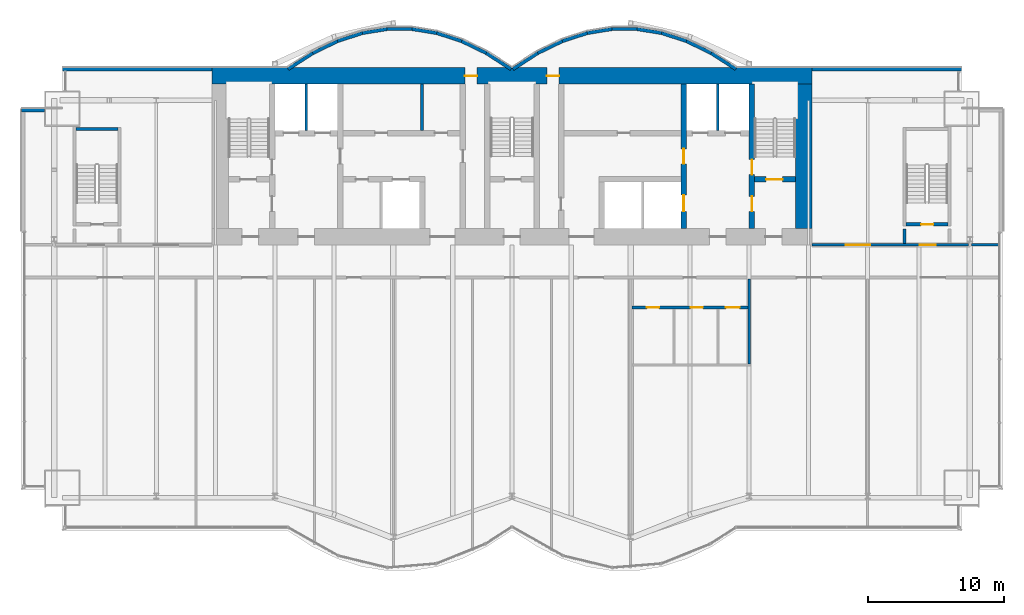
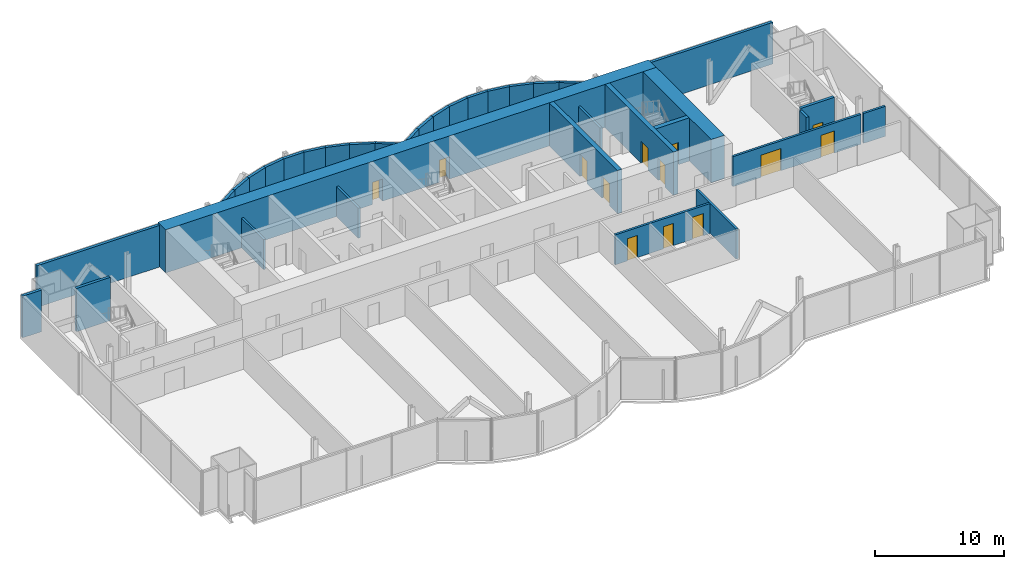
# One storey, part 16 of 20: 36 walls, 13 doors, 13 openings.
"""IFC4 building model written with IfcOpenShell, lengths in metres."""

import ifcopenshell
import ifcopenshell.guid

model = None  # the IFC model being written
_history = None  # IfcOwnerHistory: only IFC2X3 demands one
_inside = {}  # id of a spatial element -> (the spatial element, [elements in it])
_under = {}  # id of a project, library or spatial element -> (it, [spatial elements below it])
_declared = {}  # id of a project -> (the project, [libraries it declares])
_typed = {}  # id of a type object -> (the type object, [elements of that type])
_made_of = {}  # id of a material, layer set ... -> (it, [elements and type objects made of it])


def new_model(schema):
    """Start an empty IFC model of exactly this schema.

    Asked for "IFC4X3", IfcOpenShell would pick the latest addendum, in which some entities
    have other attributes; the version numbers below select the first issue.
    IFC2X3 requires an IfcOwnerHistory on every rooted entity: one is made here for all.
    """
    global model, _history
    if schema == "IFC4X3":
        model = ifcopenshell.file(schema_version=(4, 3, 0, 0))
    else:
        model = ifcopenshell.file(schema=schema)
    _inside.clear()
    _under.clear()
    _declared.clear()
    _typed.clear()
    _made_of.clear()
    _history = None
    if model.schema == "IFC2X3":
        org = make("IfcOrganization", Name="unknown")
        user = make(
            "IfcPersonAndOrganization",
            ThePerson=make("IfcPerson", FamilyName="unknown"),
            TheOrganization=org,
        )
        app = make(
            "IfcApplication",
            ApplicationDeveloper=org,
            Version="unknown",
            ApplicationFullName="unknown",
            ApplicationIdentifier="unknown",
        )
        _history = make(
            "IfcOwnerHistory",
            OwningUser=user,
            OwningApplication=app,
            ChangeAction="ADDED",
            CreationDate=0,
        )
    return model


def make(cls, **values):
    """One entity of the class cls with the attributes given. An attribute that is None is left unset."""
    return model.create_entity(
        cls, **{name: value for name, value in values.items() if value is not None}
    )


def rooted(cls, **values):
    """An entity with a GlobalId (a new one), such as an element, a storey or a relation."""
    return make(cls, GlobalId=ifcopenshell.guid.new(), OwnerHistory=_history, **values)


def si_unit(unit_type, name, prefix=None):
    """IfcSIUnit, for example si_unit("LENGTHUNIT", "METRE", prefix="MILLI")."""
    return make("IfcSIUnit", UnitType=unit_type, Prefix=prefix, Name=name)


def assignment(units):
    """IfcUnitAssignment: the units of a project."""
    return None if units is None else make("IfcUnitAssignment", Units=units)


def point(xyz):
    """IfcCartesianPoint."""
    return None if xyz is None else make("IfcCartesianPoint", Coordinates=xyz)


def direction(xyz):
    """IfcDirection."""
    return None if xyz is None else make("IfcDirection", DirectionRatios=xyz)


def frame(location, z_axis=None, x_axis=None):
    """IfcAxis2Placement3D, a coordinate frame: its origin and axes. An axis left out is left unset."""
    return make(
        "IfcAxis2Placement3D",
        Location=point(location),
        Axis=direction(z_axis),
        RefDirection=direction(x_axis),
    )


def frame_2d(location, x_axis=None):
    """IfcAxis2Placement2D, a coordinate frame in the plane: its origin and x axis."""
    return make(
        "IfcAxis2Placement2D", Location=point(location), RefDirection=direction(x_axis)
    )


def origin():
    """The frame at (0, 0, 0) with its axes left unset."""
    return frame((0.0, 0.0, 0.0))


def place(relative_to, where):
    """IfcLocalPlacement: puts the frame where relative to a parent placement (None: the world)."""
    return make(
        "IfcLocalPlacement", PlacementRelTo=relative_to, RelativePlacement=where
    )


def context(
    kind, dimensions, precision=None, world=None, true_north=None, identifier=None
):
    """IfcGeometricRepresentationContext, for example the 3D "Model" context."""
    return make(
        "IfcGeometricRepresentationContext",
        ContextIdentifier=identifier,
        ContextType=kind,
        CoordinateSpaceDimension=dimensions,
        Precision=precision,
        WorldCoordinateSystem=world,
        TrueNorth=true_north,
    )


def subcontext(parent, identifier, kind, view, scale=None):
    """IfcGeometricRepresentationSubContext, for example "Body" below "Model"."""
    return make(
        "IfcGeometricRepresentationSubContext",
        ContextIdentifier=identifier,
        ContextType=kind,
        ParentContext=parent,
        TargetScale=scale,
        TargetView=view,
    )


def project(units=None, contexts=None):
    """IfcProject with its units and contexts."""
    return rooted(
        "IfcProject",
        Name="project",
        RepresentationContexts=contexts,
        UnitsInContext=assignment(units),
    )


def spatial(cls, under=None, at=None, **own):
    """A site, building, storey or space (cls), placed at a placement, below another one or the project."""
    s = rooted(cls, ObjectPlacement=at, **own)
    if under is not None:
        _under.setdefault(under.id(), (under, []))[1].append(s)
    return s


def profile(cls, at=None, kind="AREA", **sizes):
    """A parametric profile (cls). Its sizes go by their IFC names, for example OverallWidth=200.0."""
    return make(cls, ProfileType=kind, Position=at, **sizes)


def rectangle(**sizes):
    """IfcRectangleProfileDef."""
    return profile("IfcRectangleProfileDef", **sizes)


def extrude(swept, where, along, depth):
    """IfcExtrudedAreaSolid: the profile swept, set in the frame where, extruded along a direction by depth."""
    return make(
        "IfcExtrudedAreaSolid",
        SweptArea=swept,
        Position=where,
        ExtrudedDirection=direction(along),
        Depth=depth,
    )


def shape(context_of_items, identifier, shape_type, items):
    """IfcShapeRepresentation: the items that make up one representation, for example the "Body"."""
    return make(
        "IfcShapeRepresentation",
        ContextOfItems=context_of_items,
        RepresentationIdentifier=identifier,
        RepresentationType=shape_type,
        Items=items,
    )


def material(Name=None, Category=None):
    """IfcMaterial."""
    return make("IfcMaterial", Name=Name, Category=Category)


def layer(
    of_material, thickness, ventilated=None, Name=None, Category=None, Priority=None
):
    """IfcMaterialLayer: one layer of a wall or slab, of a material (None: an air gap)."""
    return make(
        "IfcMaterialLayer",
        Material=of_material,
        LayerThickness=thickness,
        IsVentilated=ventilated,
        Name=Name,
        Category=Category,
        Priority=Priority,
    )


def layer_set(layers, Name=None):
    """IfcMaterialLayerSet."""
    return make("IfcMaterialLayerSet", MaterialLayers=layers, LayerSetName=Name)


def layer_usage(for_layer_set, set_direction, sense, offset, extent=None):
    """IfcMaterialLayerSetUsage: how a layer set lies in its element."""
    return make(
        "IfcMaterialLayerSetUsage",
        ForLayerSet=for_layer_set,
        LayerSetDirection=set_direction,
        DirectionSense=sense,
        OffsetFromReferenceLine=offset,
        ReferenceExtent=extent,
    )


def made_of(thing, what):
    """Note that an element or type object is made of a material, layer set ...; save() writes the relation."""
    if what is not None:
        _made_of.setdefault(what.id(), (what, []))[1].append(thing)
    return thing


def type_object(cls, material=None, **own):
    """A type object (cls), such as IfcWallType, which elements share."""
    return made_of(rooted(cls, **own), material)


def element(
    cls,
    number,
    at=None,
    inside=None,
    cuts=None,
    type_object=None,
    material=None,
    context=None,
    identifier="Body",
    shape_type=None,
    held_by="IfcProductDefinitionShape",
    body=None,
    shapes=None,
    **own,
):
    """One element of the class cls, such as IfcWall. Its Tag is "e" and its number.

    at: its placement. inside: the storey or other place that contains it. cuts: it is an
    opening in that element (IfcRelVoidsElement). A single representation is given by context,
    identifier, shape_type and body (its items); several are given by shapes. held_by: the class
    of the entity that holds the representations. save() writes the other relations.
    """
    e = rooted(cls, Tag="e%d" % number, ObjectPlacement=at, **own)
    if body is not None:
        shapes = [shape(context, identifier, shape_type, body)]
    if shapes is not None:
        e.Representation = make(held_by, Representations=shapes)
    if inside is not None:
        _inside.setdefault(inside.id(), (inside, []))[1].append(e)
    if cuts is not None:
        rooted(
            "IfcRelVoidsElement", RelatingBuildingElement=cuts, RelatedOpeningElement=e
        )
    if type_object is not None:
        _typed.setdefault(type_object.id(), (type_object, []))[1].append(e)
    return made_of(e, material)


def fill(opening, filler):
    """IfcRelFillsElement: the door or window that sits in an opening."""
    return rooted(
        "IfcRelFillsElement",
        RelatingOpeningElement=opening,
        RelatedBuildingElement=filler,
    )


def aggregate(whole, parts):
    """IfcRelAggregates: a whole, such as a stair, and the parts it consists of."""
    return rooted("IfcRelAggregates", RelatingObject=whole, RelatedObjects=parts)


def save(model, path):
    """Write the relations noted so far, then the file.

    IfcRelAggregates (storeys below a building ...), IfcRelContainedInSpatialStructure (elements
    in a storey), IfcRelDefinesByType, IfcRelAssociatesMaterial and IfcRelDeclares: one each for
    every whole, place, type object, material and project.
    """
    for whole, parts in _under.values():
        aggregate(whole, parts)
    for where, things in _inside.values():
        rooted(
            "IfcRelContainedInSpatialStructure",
            RelatedElements=things,
            RelatingStructure=where,
        )
    for kind, things in _typed.values():
        rooted("IfcRelDefinesByType", RelatedObjects=things, RelatingType=kind)
    for what, things in _made_of.values():
        rooted("IfcRelAssociatesMaterial", RelatedObjects=things, RelatingMaterial=what)
    for by, libraries in _declared.values():
        rooted("IfcRelDeclares", RelatingContext=by, RelatedDefinitions=libraries)
    model.write(path)


model = new_model("IFC4")

# Units and contexts
model_context = context("Model", 3, precision=1e-05, world=origin(), true_north=direction((0.0, 1.0)))
body_context = subcontext(model_context, "Body", "Model", "MODEL_VIEW")
ifc_project = project(units=[si_unit("LENGTHUNIT", "METRE"), si_unit("AREAUNIT", "SQUARE_METRE"), si_unit("VOLUMEUNIT", "CUBIC_METRE"), si_unit("PLANEANGLEUNIT", "RADIAN"), si_unit("MASSUNIT", "GRAM", prefix="KILO")], contexts=[model_context])

# Site, building, storey
site_placement = place(None, origin())
site = spatial("IfcSite", under=ifc_project, at=site_placement, CompositionType="ELEMENT")
building_placement = place(site_placement, origin())
building = spatial("IfcBuilding", under=site, at=building_placement, Name="Bicima Exchange Tower", CompositionType="ELEMENT")
storey_placement = place(building_placement, frame((0.0, 0.0, 177.300048828125)))
storey = spatial("IfcBuildingStorey", under=building, at=storey_placement, Name="L39", CompositionType="ELEMENT", Elevation=177.300048828125)

# Walls
ifc_material_1 = material(Name="Gypsum board partition")
ifc_layer_1 = layer(ifc_material_1, 0.199951171875)
ifc_layer_set_1 = layer_set([ifc_layer_1], Name="Gypsum board partition")
wall_type_1 = type_object("IfcWallType", Name="Fire-rated gypsum partition 200 EI120", PredefinedType="PARTITIONING", material=ifc_layer_set_1)
for number, where, z_axis, x_axis, name in (
    (1, (-15.10009765625, -4.60009765625, 0.0), (0.0, 0.0, 1.0), (0.0, 1.0, 0.0), "partition wall 9"),
    (2, (15.10009765625, -4.60009765625, 0.0), (0.0, 0.0, 1.0), (0.0, 1.0, 0.0), "partition wall 21"),
):
    element("IfcWall", number, at=place(storey_placement, frame(where, z_axis=z_axis, x_axis=x_axis)), inside=storey, type_object=wall_type_1, Name=name, PredefinedType="PARTITIONING", context=body_context, shape_type="SweptSolid", body=[
        extrude(rectangle(XDim=3.400146484375, YDim=0.199951171875, at=frame_2d((1.7001953125, 0.0))), origin(), (0.0, 0.0, 1.0), 2.84033203125),
    ])

# Wall, openings, doors
ifc_layer_2 = layer(ifc_material_1, 0.199951171875)
ifc_layer_set_2 = layer_set([ifc_layer_2], Name="Gypsum board partition")
wall_type_2 = type_object("IfcWallType", Name="Fire-rated gypsum partition 200 EI60", PredefinedType="PARTITIONING", material=ifc_layer_set_2)
wall_1_placement = place(storey_placement, frame((8.800048828125, -17.60009765625, 0.0), z_axis=(0.0, 0.0, 1.0), x_axis=(1.0, 0.0, 0.0)))
wall_1 = element("IfcWall", 3, at=wall_1_placement, inside=storey, type_object=wall_type_2, Name="partition wall 2", PredefinedType="PARTITIONING", context=body_context, shape_type="SweptSolid", body=[
    extrude(rectangle(XDim=8.5, YDim=0.199951171875, at=frame_2d((4.25, 0.0))), origin(), (0.0, 0.0, 1.0), 2.84033203125),
])
opening_1_placement = place(wall_1_placement, frame((1.10009765625, 0.0, 0.0)))
opening_1 = element("IfcOpeningElement", 4, at=opening_1_placement, cuts=wall_1, Name="Opening L39-014", PredefinedType="OPENING", context=body_context, shape_type="SweptSolid", body=[
    extrude(rectangle(XDim=0.89990234375, YDim=2.10009765625, at=frame_2d((0.449951171875, 1.050048828125))), frame((0.0, 0.11181640625, 0.0), z_axis=(0.0, -1.0, 0.0), x_axis=(1.0, 0.0, 0.0)), (0.0, 0.0, 1.0), 0.223876953125),
])
opening_2_placement = place(wall_1_placement, frame((4.300048828125, 0.0, 0.0)))
opening_2 = element("IfcOpeningElement", 5, at=opening_2_placement, cuts=wall_1, Name="Opening L39-015", PredefinedType="OPENING", context=body_context, shape_type="SweptSolid", body=[
    extrude(rectangle(XDim=0.89990234375, YDim=2.10009765625, at=frame_2d((0.449951171875, 1.050048828125))), frame((0.0, 0.11181640625, 0.0), z_axis=(0.0, -1.0, 0.0), x_axis=(1.0, 0.0, 0.0)), (0.0, 0.0, 1.0), 0.223876953125),
])
opening_3_placement = place(wall_1_placement, frame((6.89990234375, 0.0, 0.0)))
opening_3 = element("IfcOpeningElement", 6, at=opening_3_placement, cuts=wall_1, Name="Opening L39-016", PredefinedType="OPENING", context=body_context, shape_type="SweptSolid", body=[
    extrude(rectangle(XDim=1.0, YDim=2.10009765625, at=frame_2d((0.5, 1.050048828125))), frame((0.0, 0.11181640625, 0.0), z_axis=(0.0, -1.0, 0.0), x_axis=(1.0, 0.0, 0.0)), (0.0, 0.0, 1.0), 0.223876953125),
])
ifc_material_2 = material(Name="Steel fire door leaf", Category="steel")
door_type_1 = type_object("IfcDoorType", Name="Door 1000 swing FD30S", OperationType="SINGLE_SWING_LEFT", PredefinedType="DOOR", material=ifc_material_2)
door_1_placement = place(opening_3_placement, frame((1.0, 0.0, 0.0), z_axis=(0.0, 0.0, 1.0), x_axis=(-1.0, 0.0, 0.0)))
door_1 = element("IfcDoor", 7, at=door_1_placement, inside=storey, type_object=door_type_1, Name="Door", OperationType="SINGLE_SWING_LEFT", OverallHeight=2.10009765625, OverallWidth=1.0, PredefinedType="DOOR", context=body_context, shape_type="SweptSolid", body=[
    extrude(rectangle(XDim=1.0, YDim=2.10009765625, at=frame_2d((0.5, 1.050048828125))), frame((0.0, 0.02490234375, 0.0), z_axis=(0.0, -1.0, 0.0), x_axis=(1.0, 0.0, 0.0)), (0.0, 0.0, 1.0), 0.050048828125),
])
fill(opening_3, door_1)
door_type_2 = type_object("IfcDoorType", Name="Door 900 swing FD30S", OperationType="SINGLE_SWING_LEFT", PredefinedType="DOOR", material=ifc_material_2)
door_2_placement = place(opening_1_placement, frame((0.89990234375, 0.0, 0.0), z_axis=(0.0, 0.0, 1.0), x_axis=(-1.0, 0.0, 0.0)))
door_2 = element("IfcDoor", 8, at=door_2_placement, inside=storey, type_object=door_type_2, Name="Door", OperationType="SINGLE_SWING_RIGHT", OverallHeight=2.10009765625, OverallWidth=0.89990234375, PredefinedType="DOOR", context=body_context, shape_type="SweptSolid", body=[
    extrude(rectangle(XDim=0.89990234375, YDim=2.10009765625, at=frame_2d((0.449951171875, 1.050048828125))), frame((0.0, 0.02490234375, 0.0), z_axis=(0.0, -1.0, 0.0), x_axis=(1.0, 0.0, 0.0)), (0.0, 0.0, 1.0), 0.050048828125),
])
fill(opening_1, door_2)
door_3_placement = place(opening_2_placement, frame((0.89990234375, 0.0, 0.0), z_axis=(0.0, 0.0, 1.0), x_axis=(-1.0, 0.0, 0.0)))
door_3 = element("IfcDoor", 9, at=door_3_placement, inside=storey, type_object=door_type_2, Name="Door", OperationType="SINGLE_SWING_RIGHT", OverallHeight=2.10009765625, OverallWidth=0.89990234375, PredefinedType="DOOR", context=body_context, shape_type="SweptSolid", body=[
    extrude(rectangle(XDim=0.89990234375, YDim=2.10009765625, at=frame_2d((0.449951171875, 1.050048828125))), frame((0.0, 0.02490234375, 0.0), z_axis=(0.0, -1.0, 0.0), x_axis=(1.0, 0.0, 0.0)), (0.0, 0.0, 1.0), 0.050048828125),
])
fill(opening_2, door_3)

wall_2_placement = place(storey_placement, frame((22.0, -13.0, 0.0), z_axis=(0.0, 0.0, 1.0), x_axis=(1.0, 0.0, 0.0)))
wall_2 = element("IfcWall", 10, at=wall_2_placement, inside=storey, type_object=wall_type_2, Name="partition wall 6", PredefinedType="PARTITIONING", context=body_context, shape_type="SweptSolid", body=[
    extrude(rectangle(XDim=11.47998046875, YDim=0.199951171875, at=frame_2d((5.739990234375, 0.0))), origin(), (0.0, 0.0, 1.0), 2.84033203125),
])
opening_4_placement = place(wall_2_placement, frame((7.89990234375, 0.0, 0.0)))
opening_4 = element("IfcOpeningElement", 11, at=opening_4_placement, cuts=wall_2, Name="Opening L39-003", PredefinedType="OPENING", context=body_context, shape_type="SweptSolid", body=[
    extrude(rectangle(XDim=1.199951171875, YDim=2.10009765625, at=frame_2d((0.60009765625, 1.050048828125))), frame((0.0, 0.11181640625, 0.0), z_axis=(0.0, -1.0, 0.0), x_axis=(1.0, 0.0, 0.0)), (0.0, 0.0, 1.0), 0.223876953125),
])
opening_5_placement = place(wall_2_placement, frame((2.5, 0.0, 0.0)))
opening_5 = element("IfcOpeningElement", 12, at=opening_5_placement, cuts=wall_2, Name="Opening L39-006", PredefinedType="OPENING", context=body_context, shape_type="SweptSolid", body=[
    extrude(rectangle(XDim=1.800048828125, YDim=2.10009765625, at=frame_2d((0.89990234375, 1.050048828125))), frame((0.0, 0.11181640625, 0.0), z_axis=(0.0, -1.0, 0.0), x_axis=(1.0, 0.0, 0.0)), (0.0, 0.0, 1.0), 0.223876953125),
])
door_type_3 = type_object("IfcDoorType", Name="Door 1200 swing FD30S", OperationType="SINGLE_SWING_LEFT", PredefinedType="DOOR", material=ifc_material_2)
door_4_placement = place(opening_4_placement, origin())
door_4 = element("IfcDoor", 13, at=door_4_placement, inside=storey, type_object=door_type_3, Name="Door", OperationType="SINGLE_SWING_RIGHT", OverallHeight=2.10009765625, OverallWidth=1.199951171875, PredefinedType="DOOR", context=body_context, shape_type="SweptSolid", body=[
    extrude(rectangle(XDim=1.199951171875, YDim=2.10009765625, at=frame_2d((0.60009765625, 1.050048828125))), frame((0.0, 0.02490234375, 0.0), z_axis=(0.0, -1.0, 0.0), x_axis=(1.0, 0.0, 0.0)), (0.0, 0.0, 1.0), 0.050048828125),
])
fill(opening_4, door_4)
door_type_4 = type_object("IfcDoorType", Name="Door 1800 double swing FD30S", OperationType="DOUBLE_DOOR_SINGLE_SWING", PredefinedType="DOOR", material=ifc_material_2)
door_5_placement = place(opening_5_placement, origin())
door_5 = element("IfcDoor", 14, at=door_5_placement, inside=storey, type_object=door_type_4, Name="Door", OperationType="SINGLE_SWING_LEFT", OverallHeight=2.10009765625, OverallWidth=1.800048828125, PredefinedType="DOOR", context=body_context, shape_type="SweptSolid", body=[
    extrude(rectangle(XDim=1.800048828125, YDim=2.10009765625, at=frame_2d((0.89990234375, 1.050048828125))), frame((0.0, 0.02490234375, 0.0), z_axis=(0.0, -1.0, 0.0), x_axis=(1.0, 0.0, 0.0)), (0.0, 0.0, 1.0), 0.050048828125),
])
fill(opening_5, door_5)

# Walls
wall_3_placement = place(storey_placement, frame((33.719970703125, -13.0, 0.0), z_axis=(0.0, 0.0, 1.0), x_axis=(1.0, 0.0, 0.0)))
element("IfcWall", 15, at=wall_3_placement, inside=storey, type_object=wall_type_2, Name="partition wall 7", PredefinedType="PARTITIONING", context=body_context, shape_type="SweptSolid", body=[
    extrude(rectangle(XDim=1.9599609375, YDim=0.199951171875, at=frame_2d((0.97998046875, 0.0))), origin(), (0.0, 0.0, 1.0), 2.84033203125),
])
wall_4_placement = place(storey_placement, frame((17.39990234375, -21.72509765625, 0.0), z_axis=(0.0, 0.0, 1.0), x_axis=(0.0, 1.0, 0.0)))
element("IfcWall", 16, at=wall_4_placement, inside=storey, type_object=wall_type_2, Name="partition wall 25", PredefinedType="PARTITIONING", context=body_context, shape_type="SweptSolid", body=[
    extrude(rectangle(XDim=6.22509765625, YDim=0.199951171875, at=frame_2d((3.112548828125, 0.0))), origin(), (0.0, 0.0, 1.0), 2.84033203125),
])
wall_5_placement = place(storey_placement, frame((-6.60009765625, -4.60009765625, 0.0), z_axis=(0.0, 0.0, 1.0), x_axis=(0.0, 1.0, 0.0)))
element("IfcWall", 17, at=wall_5_placement, inside=storey, type_object=wall_type_2, Name="partition wall 13", PredefinedType="PARTITIONING", context=body_context, shape_type="SweptSolid", body=[
    extrude(rectangle(XDim=3.400146484375, YDim=0.199951171875, at=frame_2d((1.7001953125, 0.0))), origin(), (0.0, 0.0, 1.0), 2.84033203125),
])

# Wall, openings, doors
ifc_material_3 = material(Name="Concrete C50/60", Category="concrete")
ifc_layer_3 = layer(ifc_material_3, 1.199951171875)
ifc_layer_set_3 = layer_set([ifc_layer_3], Name="Concrete C50/60")
wall_type_3 = type_object("IfcWallType", Name="RC core wall 1200 C50/60", PredefinedType="SHEAR", material=ifc_layer_set_3)
wall_6_placement = place(storey_placement, frame((-22.0, -0.60009765625, 0.0), z_axis=(0.0, 0.0, 1.0), x_axis=(1.0, 0.0, 0.0)))
wall_6 = element("IfcWall", 18, at=wall_6_placement, inside=storey, type_object=wall_type_3, Name="Core wall north", PredefinedType="SHEAR", context=body_context, shape_type="SweptSolid", body=[
    extrude(rectangle(XDim=44.0, YDim=1.199951171875, at=frame_2d((22.0, 0.0))), origin(), (0.0, 0.0, 1.0), 4.099853515625),
])
opening_6_placement = place(wall_6_placement, frame((18.550048828125, 0.0, 0.0)))
opening_6 = element("IfcOpeningElement", 19, at=opening_6_placement, cuts=wall_6, Name="Opening L39-C16", PredefinedType="OPENING", context=body_context, shape_type="SweptSolid", body=[
    extrude(rectangle(XDim=0.89990234375, YDim=2.10009765625, at=frame_2d((0.449951171875, 1.050048828125))), frame((0.0, 0.61181640625, 0.0), z_axis=(0.0, -1.0, 0.0), x_axis=(1.0, 0.0, 0.0)), (0.0, 0.0, 1.0), 1.223876953125),
])
opening_7_placement = place(wall_6_placement, frame((24.550048828125, 0.0, 0.0)))
opening_7 = element("IfcOpeningElement", 20, at=opening_7_placement, cuts=wall_6, Name="Opening L39-C17", PredefinedType="OPENING", context=body_context, shape_type="SweptSolid", body=[
    extrude(rectangle(XDim=0.89990234375, YDim=2.10009765625, at=frame_2d((0.449951171875, 1.050048828125))), frame((0.0, 0.61181640625, 0.0), z_axis=(0.0, -1.0, 0.0), x_axis=(1.0, 0.0, 0.0)), (0.0, 0.0, 1.0), 1.223876953125),
])
door_6_placement = place(opening_6_placement, origin())
door_6 = element("IfcDoor", 21, at=door_6_placement, inside=storey, type_object=door_type_2, Name="Core door", OperationType="SINGLE_SWING_LEFT", OverallHeight=2.10009765625, OverallWidth=0.89990234375, PredefinedType="DOOR", context=body_context, shape_type="SweptSolid", body=[
    extrude(rectangle(XDim=0.89990234375, YDim=2.10009765625, at=frame_2d((0.449951171875, 1.050048828125))), frame((0.0, 0.02490234375, 0.0), z_axis=(0.0, -1.0, 0.0), x_axis=(1.0, 0.0, 0.0)), (0.0, 0.0, 1.0), 0.050048828125),
])
fill(opening_6, door_6)
door_7_placement = place(opening_7_placement, origin())
door_7 = element("IfcDoor", 22, at=door_7_placement, inside=storey, type_object=door_type_2, Name="Core door", OperationType="SINGLE_SWING_LEFT", OverallHeight=2.10009765625, OverallWidth=0.89990234375, PredefinedType="DOOR", context=body_context, shape_type="SweptSolid", body=[
    extrude(rectangle(XDim=0.89990234375, YDim=2.10009765625, at=frame_2d((0.449951171875, 1.050048828125))), frame((0.0, 0.02490234375, 0.0), z_axis=(0.0, -1.0, 0.0), x_axis=(1.0, 0.0, 0.0)), (0.0, 0.0, 1.0), 0.050048828125),
])
fill(opening_7, door_7)

# Walls
wall_7_placement = place(storey_placement, frame((21.39990234375, -11.800048828125, 0.0), z_axis=(0.0, 0.0, 1.0), x_axis=(0.0, 1.0, 0.0)))
element("IfcWall", 23, at=wall_7_placement, inside=storey, type_object=wall_type_3, Name="Core wall east", PredefinedType="SHEAR", context=body_context, shape_type="SweptSolid", body=[
    extrude(rectangle(XDim=10.60009765625, YDim=1.199951171875, at=frame_2d((5.300048828125, 0.0))), origin(), (0.0, 0.0, 1.0), 4.099853515625),
])
ifc_layer_4 = layer(ifc_material_3, 0.25)
ifc_layer_set_4 = layer_set([ifc_layer_4], Name="Concrete C50/60")
wall_type_4 = type_object("IfcWallType", Name="RC core wall 250 C50/60", PredefinedType="SHEAR", material=ifc_layer_set_4)
wall_8_placement = place(storey_placement, frame((28.800048828125, -12.89990234375, 0.0), z_axis=(0.0, 0.0, 1.0), x_axis=(0.0, 1.0, 0.0)))
element("IfcWall", 24, at=wall_8_placement, inside=storey, type_object=wall_type_4, Name="stair wall 27", PredefinedType="SHEAR", context=body_context, shape_type="SweptSolid", body=[
    extrude(rectangle(XDim=1.0498046875, YDim=0.25, at=frame_2d((0.52490234375, 0.0))), origin(), (0.0, 0.0, 1.0), 4.099853515625),
])

# Wall, opening, door
ifc_layer_5 = layer(ifc_material_3, 0.39990234375)
ifc_layer_set_5 = layer_set([ifc_layer_5], Name="Concrete C50/60")
wall_type_5 = type_object("IfcWallType", Name="RC core wall 400 C50/60", PredefinedType="SHEAR", material=ifc_layer_set_5)
wall_9_placement = place(storey_placement, frame((17.800048828125, -8.199951171875, 0.0), z_axis=(0.0, 0.0, 1.0), x_axis=(1.0, 0.0, 0.0)))
wall_9 = element("IfcWall", 25, at=wall_9_placement, inside=storey, type_object=wall_type_5, Name="stair wall 5", PredefinedType="SHEAR", context=body_context, shape_type="SweptSolid", body=[
    extrude(rectangle(XDim=3.0, YDim=0.39990234375, at=frame_2d((1.5, 0.0))), origin(), (0.0, 0.0, 1.0), 4.099853515625),
])
opening_8_placement = place(wall_9_placement, frame((0.85009765625, 0.0, 0.0)))
opening_8 = element("IfcOpeningElement", 26, at=opening_8_placement, cuts=wall_9, Name="Opening L39-C04", PredefinedType="OPENING", context=body_context, shape_type="SweptSolid", body=[
    extrude(rectangle(XDim=1.199951171875, YDim=2.10009765625, at=frame_2d((0.60009765625, 1.050048828125))), frame((0.0, 0.2119140625, 0.0), z_axis=(0.0, -1.0, 0.0), x_axis=(1.0, 0.0, 0.0)), (0.0, 0.0, 1.0), 0.423828125),
])
door_type_5 = type_object("IfcDoorType", Name="Door 1200 swing FD60S", OperationType="SINGLE_SWING_LEFT", PredefinedType="DOOR", material=ifc_material_2)
door_8_placement = place(opening_8_placement, origin())
door_8 = element("IfcDoor", 27, at=door_8_placement, inside=storey, type_object=door_type_5, Name="Core door", OperationType="SINGLE_SWING_RIGHT", OverallHeight=2.10009765625, OverallWidth=1.199951171875, PredefinedType="DOOR", context=body_context, shape_type="SweptSolid", body=[
    extrude(rectangle(XDim=1.199951171875, YDim=2.10009765625, at=frame_2d((0.60009765625, 1.050048828125))), frame((0.0, 0.02490234375, 0.0), z_axis=(0.0, -1.0, 0.0), x_axis=(1.0, 0.0, 0.0)), (0.0, 0.0, 1.0), 0.050048828125),
])
fill(opening_8, door_8)

# Wall, openings, doors
wall_10_placement = place(storey_placement, frame((12.60009765625, -11.800048828125, 0.0), z_axis=(0.0, 0.0, 1.0), x_axis=(0.0, 1.0, 0.0)))
wall_10 = element("IfcWall", 28, at=wall_10_placement, inside=storey, type_object=wall_type_5, Name="shear wall 20", PredefinedType="SHEAR", context=body_context, shape_type="SweptSolid", body=[
    extrude(rectangle(XDim=10.60009765625, YDim=0.39990234375, at=frame_2d((5.300048828125, 0.0))), origin(), (0.0, 0.0, 1.0), 4.099853515625),
])
opening_9_placement = place(wall_10_placement, frame((1.25, 0.0, 0.0)))
opening_9 = element("IfcOpeningElement", 29, at=opening_9_placement, cuts=wall_10, Name="Opening LD-MB2-L39", PredefinedType="OPENING", context=body_context, shape_type="SweptSolid", body=[
    extrude(rectangle(XDim=1.199951171875, YDim=2.10009765625, at=frame_2d((0.60009765625, 1.050048828125))), frame((0.0, 0.2119140625, 0.0), z_axis=(0.0, -1.0, 0.0), x_axis=(1.0, 0.0, 0.0)), (0.0, 0.0, 1.0), 0.423828125),
])
opening_10_placement = place(wall_10_placement, frame((4.75, 0.0, 0.0)))
opening_10 = element("IfcOpeningElement", 30, at=opening_10_placement, cuts=wall_10, Name="Opening L39-C09", PredefinedType="OPENING", context=body_context, shape_type="SweptSolid", body=[
    extrude(rectangle(XDim=1.10009765625, YDim=2.10009765625, at=frame_2d((0.550048828125, 1.050048828125))), frame((0.0, 0.2119140625, 0.0), z_axis=(0.0, -1.0, 0.0), x_axis=(1.0, 0.0, 0.0)), (0.0, 0.0, 1.0), 0.423828125),
])
door_type_6 = type_object("IfcDoorType", Name="Door 1100 swing FD60S", OperationType="SINGLE_SWING_LEFT", PredefinedType="DOOR", material=ifc_material_2)
door_9_placement = place(opening_10_placement, frame((1.10009765625, 0.0, 0.0), z_axis=(0.0, 0.0, 1.0), x_axis=(-1.0, 0.0, 0.0)))
door_9 = element("IfcDoor", 31, at=door_9_placement, inside=storey, type_object=door_type_6, Name="Core door", OperationType="SINGLE_SWING_RIGHT", OverallHeight=2.10009765625, OverallWidth=1.10009765625, PredefinedType="DOOR", context=body_context, shape_type="SweptSolid", body=[
    extrude(rectangle(XDim=1.10009765625, YDim=2.10009765625, at=frame_2d((0.550048828125, 1.050048828125))), frame((0.0, 0.02490234375, 0.0), z_axis=(0.0, -1.0, 0.0), x_axis=(1.0, 0.0, 0.0)), (0.0, 0.0, 1.0), 0.050048828125),
])
fill(opening_10, door_9)
ifc_material_4 = material(Name="Stainless steel", Category="steel")
door_type_7 = type_object("IfcDoorType", Name="Lift landing door 1200 sliding", OperationType="DOUBLE_DOOR_SLIDING", PredefinedType="DOOR", material=ifc_material_4)
door_10_placement = place(opening_9_placement, origin())
door_10 = element("IfcDoor", 32, at=door_10_placement, inside=storey, type_object=door_type_7, Name="Lift landing door MB2", OperationType="DOUBLE_DOOR_SLIDING", OverallHeight=2.10009765625, OverallWidth=1.199951171875, PredefinedType="DOOR", context=body_context, shape_type="SweptSolid", body=[
    extrude(rectangle(XDim=1.199951171875, YDim=2.10009765625, at=frame_2d((0.60009765625, 1.050048828125))), frame((0.0, 0.02490234375, 0.0), z_axis=(0.0, -1.0, 0.0), x_axis=(1.0, 0.0, 0.0)), (0.0, 0.0, 1.0), 0.050048828125),
])
fill(opening_9, door_10)

wall_11_placement = place(storey_placement, frame((17.60009765625, -11.800048828125, 0.0), z_axis=(0.0, 0.0, 1.0), x_axis=(0.0, 1.0, 0.0)))
wall_11 = element("IfcWall", 33, at=wall_11_placement, inside=storey, type_object=wall_type_5, Name="stair wall 22", PredefinedType="SHEAR", context=body_context, shape_type="SweptSolid", body=[
    extrude(rectangle(XDim=10.60009765625, YDim=0.39990234375, at=frame_2d((5.300048828125, 0.0))), origin(), (0.0, 0.0, 1.0), 4.099853515625),
])
opening_11_placement = place(wall_11_placement, frame((1.25, 0.0, 0.0)))
opening_11 = element("IfcOpeningElement", 34, at=opening_11_placement, cuts=wall_11, Name="Opening L39-C05", PredefinedType="OPENING", context=body_context, shape_type="SweptSolid", body=[
    extrude(rectangle(XDim=1.10009765625, YDim=2.10009765625, at=frame_2d((0.550048828125, 1.050048828125))), frame((0.0, 0.2119140625, 0.0), z_axis=(0.0, -1.0, 0.0), x_axis=(1.0, 0.0, 0.0)), (0.0, 0.0, 1.0), 0.423828125),
])
opening_12_placement = place(wall_11_placement, frame((3.949951171875, 0.0, 0.0)))
opening_12 = element("IfcOpeningElement", 35, at=opening_12_placement, cuts=wall_11, Name="Opening L39-C08", PredefinedType="OPENING", context=body_context, shape_type="SweptSolid", body=[
    extrude(rectangle(XDim=1.10009765625, YDim=2.10009765625, at=frame_2d((0.550048828125, 1.050048828125))), frame((0.0, 0.2119140625, 0.0), z_axis=(0.0, -1.0, 0.0), x_axis=(1.0, 0.0, 0.0)), (0.0, 0.0, 1.0), 0.423828125),
])
door_11_placement = place(opening_11_placement, origin())
door_11 = element("IfcDoor", 36, at=door_11_placement, inside=storey, type_object=door_type_6, Name="Core door", OperationType="SINGLE_SWING_LEFT", OverallHeight=2.10009765625, OverallWidth=1.10009765625, PredefinedType="DOOR", context=body_context, shape_type="SweptSolid", body=[
    extrude(rectangle(XDim=1.10009765625, YDim=2.10009765625, at=frame_2d((0.550048828125, 1.050048828125))), frame((0.0, 0.02490234375, 0.0), z_axis=(0.0, -1.0, 0.0), x_axis=(1.0, 0.0, 0.0)), (0.0, 0.0, 1.0), 0.050048828125),
])
fill(opening_11, door_11)
door_12_placement = place(opening_12_placement, origin())
door_12 = element("IfcDoor", 37, at=door_12_placement, inside=storey, type_object=door_type_6, Name="Core door", OperationType="SINGLE_SWING_RIGHT", OverallHeight=2.10009765625, OverallWidth=1.10009765625, PredefinedType="DOOR", context=body_context, shape_type="SweptSolid", body=[
    extrude(rectangle(XDim=1.10009765625, YDim=2.10009765625, at=frame_2d((0.550048828125, 1.050048828125))), frame((0.0, 0.02490234375, 0.0), z_axis=(0.0, -1.0, 0.0), x_axis=(1.0, 0.0, 0.0)), (0.0, 0.0, 1.0), 0.050048828125),
])
fill(opening_12, door_12)

# Wall
ifc_layer_6 = layer(ifc_material_3, 0.25)
ifc_layer_set_6 = layer_set([ifc_layer_6], Name="Concrete C50/60")
wall_type_6 = type_object("IfcWallType", Name="RC stair enclosure wall 250 C50/60", PredefinedType="SHEAR", material=ifc_layer_set_6)
wall_12_placement = place(storey_placement, frame((-31.97509765625, -4.5, 0.0), z_axis=(0.0, 0.0, 1.0), x_axis=(1.0, 0.0, 0.0)))
element("IfcWall", 38, at=wall_12_placement, inside=storey, type_object=wall_type_6, Name="West end exit stair wall N", PredefinedType="SHEAR", context=body_context, shape_type="SweptSolid", body=[
    extrude(rectangle(XDim=3.050048828125, YDim=0.25, at=frame_2d((1.52490234375, 0.0))), origin(), (0.0, 0.0, 1.0), 4.099853515625),
])

# Wall, opening, door
wall_13_placement = place(storey_placement, frame((28.925048828125, -11.5, 0.0), z_axis=(0.0, 0.0, 1.0), x_axis=(1.0, 0.0, 0.0)))
wall_13 = element("IfcWall", 39, at=wall_13_placement, inside=storey, type_object=wall_type_6, Name="East end exit stair wall S", PredefinedType="SHEAR", context=body_context, shape_type="SweptSolid", body=[
    extrude(rectangle(XDim=3.050048828125, YDim=0.25, at=frame_2d((1.52490234375, 0.0))), origin(), (0.0, 0.0, 1.0), 4.099853515625),
])
opening_13_placement = place(wall_13_placement, frame((1.10009765625, 0.0, 0.0)))
opening_13 = element("IfcOpeningElement", 40, at=opening_13_placement, cuts=wall_13, Name="Opening L39-004", PredefinedType="OPENING", context=body_context, shape_type="SweptSolid", body=[
    extrude(rectangle(XDim=0.89990234375, YDim=2.10009765625, at=frame_2d((0.449951171875, 1.050048828125))), frame((0.0, 0.136962890625, 0.0), z_axis=(0.0, -1.0, 0.0), x_axis=(1.0, 0.0, 0.0)), (0.0, 0.0, 1.0), 0.27392578125),
])
door_type_8 = type_object("IfcDoorType", Name="Door 900 swing FD60S", OperationType="SINGLE_SWING_LEFT", PredefinedType="DOOR", material=ifc_material_2)
door_13_placement = place(opening_13_placement, origin())
door_13 = element("IfcDoor", 41, at=door_13_placement, inside=storey, type_object=door_type_8, Name="Door", OperationType="SINGLE_SWING_LEFT", OverallHeight=2.10009765625, OverallWidth=0.89990234375, PredefinedType="DOOR", context=body_context, shape_type="SweptSolid", body=[
    extrude(rectangle(XDim=0.89990234375, YDim=2.10009765625, at=frame_2d((0.449951171875, 1.050048828125))), frame((0.0, 0.02490234375, 0.0), z_axis=(0.0, -1.0, 0.0), x_axis=(1.0, 0.0, 0.0)), (0.0, 0.0, 1.0), 0.050048828125),
])
fill(opening_13, door_13)

# Walls
ifc_material_5 = material(Name="Concrete C40/50", Category="concrete")
ifc_layer_7 = layer(ifc_material_5, 0.25)
ifc_layer_set_7 = layer_set([ifc_layer_7], Name="Concrete C40/50")
ifc_layer_usage = layer_usage(ifc_layer_set_7, "AXIS2", "POSITIVE", -0.125)
wall_type_7 = type_object("IfcWallType", Name="Rear backup wall 250", PredefinedType="STANDARD", material=ifc_layer_set_7)
wall_14_placement = place(storey_placement, frame((33.0, -0.125, 0.0), z_axis=(0.0, 0.0, 1.0), x_axis=(-1.0, 0.0, 0.0)))
element("IfcWall", 42, at=wall_14_placement, inside=storey, type_object=wall_type_7, material=ifc_layer_usage, Name="Rear backup wall L39 1", PredefinedType="STANDARD", context=body_context, shape_type="SweptSolid", body=[
    extrude(rectangle(XDim=11.0, YDim=0.25, at=frame_2d((5.5, 0.0))), origin(), (0.0, 0.0, 1.0), 3.949951171875),
])
wall_15_placement = place(storey_placement, frame((16.43212890625, -0.10498046875, 0.0), z_axis=(0.0, 0.0, 1.0), x_axis=(-0.83981312244, 0.542875602121, 0.0)))
element("IfcWall", 43, at=wall_15_placement, inside=storey, type_object=wall_type_7, material=ifc_layer_usage, Name="Rear backup wall L39 2", PredefinedType="STANDARD", context=body_context, shape_type="SweptSolid", body=[
    extrude(rectangle(XDim=2.182861328125, YDim=0.25, at=frame_2d((1.09130859375, 0.0))), origin(), (0.0, 0.0, 1.0), 3.949951171875),
])
wall_16_placement = place(storey_placement, frame((14.6123046875, 1.07275390625, 0.0), z_axis=(0.0, 0.0, 1.0), x_axis=(-0.89982408427, 0.436252928206, 0.0)))
element("IfcWall", 44, at=wall_16_placement, inside=storey, type_object=wall_type_7, material=ifc_layer_usage, Name="Rear backup wall L39 3", PredefinedType="STANDARD", context=body_context, shape_type="SweptSolid", body=[
    extrude(rectangle(XDim=2.03759765625, YDim=0.25, at=frame_2d((1.018798828125, 0.0))), origin(), (0.0, 0.0, 1.0), 3.949951171875),
])
wall_17_placement = place(storey_placement, frame((12.794921875, 1.955078125, 0.0), z_axis=(0.0, 0.0, 1.0), x_axis=(-0.951495806175, 0.307661714928, 0.0)))
element("IfcWall", 45, at=wall_17_placement, inside=storey, type_object=wall_type_7, material=ifc_layer_usage, Name="Rear backup wall L39 4", PredefinedType="STANDARD", context=body_context, shape_type="SweptSolid", body=[
    extrude(rectangle(XDim=1.9267578125, YDim=0.25, at=frame_2d((0.96337890625, 0.0))), origin(), (0.0, 0.0, 1.0), 3.949951171875),
])
wall_18_placement = place(storey_placement, frame((10.97998046875, 2.543212890625, 0.0), z_axis=(0.0, 0.0, 1.0), x_axis=(-0.987181718931, 0.159600293885, 0.0)))
element("IfcWall", 46, at=wall_18_placement, inside=storey, type_object=wall_type_7, material=ifc_layer_usage, Name="Rear backup wall L39 5", PredefinedType="STANDARD", context=body_context, shape_type="SweptSolid", body=[
    extrude(rectangle(XDim=1.857177734375, YDim=0.25, at=frame_2d((0.9287109375, 0.0))), origin(), (0.0, 0.0, 1.0), 3.949951171875),
])
wall_19_placement = place(storey_placement, frame((9.166748046875, 2.837890625, 0.0), z_axis=(0.0, 0.0, 1.0), x_axis=(-1.0, 0.0, 0.0)))
element("IfcWall", 47, at=wall_19_placement, inside=storey, type_object=wall_type_7, material=ifc_layer_usage, Name="Rear backup wall L39 6", PredefinedType="STANDARD", context=body_context, shape_type="SweptSolid", body=[
    extrude(rectangle(XDim=1.83349609375, YDim=0.25, at=frame_2d((0.916748046875, 0.0))), origin(), (0.0, 0.0, 1.0), 3.949951171875),
])
wall_20_placement = place(storey_placement, frame((7.353271484375, 2.839599609375, 0.0), z_axis=(0.0, 0.0, 1.0), x_axis=(-0.987181718931, -0.159600293885, 0.0)))
element("IfcWall", 48, at=wall_20_placement, inside=storey, type_object=wall_type_7, material=ifc_layer_usage, Name="Rear backup wall L39 7", PredefinedType="STANDARD", context=body_context, shape_type="SweptSolid", body=[
    extrude(rectangle(XDim=1.857177734375, YDim=0.25, at=frame_2d((0.9287109375, 0.0))), origin(), (0.0, 0.0, 1.0), 3.949951171875),
])
wall_21_placement = place(storey_placement, frame((5.538330078125, 2.5478515625, 0.0), z_axis=(0.0, 0.0, 1.0), x_axis=(-0.951495806175, -0.307661714928, 0.0)))
element("IfcWall", 49, at=wall_21_placement, inside=storey, type_object=wall_type_7, material=ifc_layer_usage, Name="Rear backup wall L39 8", PredefinedType="STANDARD", context=body_context, shape_type="SweptSolid", body=[
    extrude(rectangle(XDim=1.9267578125, YDim=0.25, at=frame_2d((0.96337890625, 0.0))), origin(), (0.0, 0.0, 1.0), 3.949951171875),
])
wall_22_placement = place(storey_placement, frame((3.72119140625, 1.961669921875, 0.0), z_axis=(0.0, 0.0, 1.0), x_axis=(-0.89982408427, -0.436252928206, 0.0)))
element("IfcWall", 50, at=wall_22_placement, inside=storey, type_object=wall_type_7, material=ifc_layer_usage, Name="Rear backup wall L39 9", PredefinedType="STANDARD", context=body_context, shape_type="SweptSolid", body=[
    extrude(rectangle(XDim=2.03759765625, YDim=0.25, at=frame_2d((1.018798828125, 0.0))), origin(), (0.0, 0.0, 1.0), 3.949951171875),
])
for number, where, z_axis, x_axis, name in (
    (51, (1.901123046875, 1.080078125, 0.0), (0.0, 0.0, 1.0), (-0.83981312244, -0.542875602121, 0.0), "Rear backup wall L39 10"),
    (52, (-0.06787109375, -0.10498046875, 0.0), (0.0, 0.0, 1.0), (-0.83981312244, 0.542875602121, 0.0), "Rear backup wall L39 11"),
):
    element("IfcWall", number, at=place(storey_placement, frame(where, z_axis=z_axis, x_axis=x_axis)), inside=storey, type_object=wall_type_7, material=ifc_layer_usage, Name=name, PredefinedType="STANDARD", context=body_context, shape_type="SweptSolid", body=[
        extrude(rectangle(XDim=2.182861328125, YDim=0.25, at=frame_2d((1.09130859375, 0.0))), origin(), (0.0, 0.0, 1.0), 3.949951171875),
    ])
wall_23_placement = place(storey_placement, frame((-1.8876953125, 1.07275390625, 0.0), z_axis=(0.0, 0.0, 1.0), x_axis=(-0.89982408427, 0.436252928206, 0.0)))
element("IfcWall", 53, at=wall_23_placement, inside=storey, type_object=wall_type_7, material=ifc_layer_usage, Name="Rear backup wall L39 12", PredefinedType="STANDARD", context=body_context, shape_type="SweptSolid", body=[
    extrude(rectangle(XDim=2.03759765625, YDim=0.25, at=frame_2d((1.018798828125, 0.0))), origin(), (0.0, 0.0, 1.0), 3.949951171875),
])
wall_24_placement = place(storey_placement, frame((-3.705078125, 1.955078125, 0.0), z_axis=(0.0, 0.0, 1.0), x_axis=(-0.951495806175, 0.307661714928, 0.0)))
element("IfcWall", 54, at=wall_24_placement, inside=storey, type_object=wall_type_7, material=ifc_layer_usage, Name="Rear backup wall L39 13", PredefinedType="STANDARD", context=body_context, shape_type="SweptSolid", body=[
    extrude(rectangle(XDim=1.9267578125, YDim=0.25, at=frame_2d((0.96337890625, 0.0))), origin(), (0.0, 0.0, 1.0), 3.949951171875),
])
wall_25_placement = place(storey_placement, frame((-5.52001953125, 2.543212890625, 0.0), z_axis=(0.0, 0.0, 1.0), x_axis=(-0.987181718931, 0.159600293885, 0.0)))
element("IfcWall", 55, at=wall_25_placement, inside=storey, type_object=wall_type_7, material=ifc_layer_usage, Name="Rear backup wall L39 14", PredefinedType="STANDARD", context=body_context, shape_type="SweptSolid", body=[
    extrude(rectangle(XDim=1.857177734375, YDim=0.25, at=frame_2d((0.9287109375, 0.0))), origin(), (0.0, 0.0, 1.0), 3.949951171875),
])
wall_26_placement = place(storey_placement, frame((-7.333251953125, 2.837890625, 0.0), z_axis=(0.0, 0.0, 1.0), x_axis=(-1.0, 0.0, 0.0)))
element("IfcWall", 56, at=wall_26_placement, inside=storey, type_object=wall_type_7, material=ifc_layer_usage, Name="Rear backup wall L39 15", PredefinedType="STANDARD", context=body_context, shape_type="SweptSolid", body=[
    extrude(rectangle(XDim=1.83349609375, YDim=0.25, at=frame_2d((0.916748046875, 0.0))), origin(), (0.0, 0.0, 1.0), 3.949951171875),
])
wall_27_placement = place(storey_placement, frame((-9.146728515625, 2.839599609375, 0.0), z_axis=(0.0, 0.0, 1.0), x_axis=(-0.987181718931, -0.159600293885, 0.0)))
element("IfcWall", 57, at=wall_27_placement, inside=storey, type_object=wall_type_7, material=ifc_layer_usage, Name="Rear backup wall L39 16", PredefinedType="STANDARD", context=body_context, shape_type="SweptSolid", body=[
    extrude(rectangle(XDim=1.857177734375, YDim=0.25, at=frame_2d((0.9287109375, 0.0))), origin(), (0.0, 0.0, 1.0), 3.949951171875),
])
wall_28_placement = place(storey_placement, frame((-10.961669921875, 2.5478515625, 0.0), z_axis=(0.0, 0.0, 1.0), x_axis=(-0.951495806175, -0.307661714928, 0.0)))
element("IfcWall", 58, at=wall_28_placement, inside=storey, type_object=wall_type_7, material=ifc_layer_usage, Name="Rear backup wall L39 17", PredefinedType="STANDARD", context=body_context, shape_type="SweptSolid", body=[
    extrude(rectangle(XDim=1.9267578125, YDim=0.25, at=frame_2d((0.96337890625, 0.0))), origin(), (0.0, 0.0, 1.0), 3.949951171875),
])
wall_29_placement = place(storey_placement, frame((-12.77880859375, 1.961669921875, 0.0), z_axis=(0.0, 0.0, 1.0), x_axis=(-0.89982408427, -0.436252928206, 0.0)))
element("IfcWall", 59, at=wall_29_placement, inside=storey, type_object=wall_type_7, material=ifc_layer_usage, Name="Rear backup wall L39 18", PredefinedType="STANDARD", context=body_context, shape_type="SweptSolid", body=[
    extrude(rectangle(XDim=2.03759765625, YDim=0.25, at=frame_2d((1.018798828125, 0.0))), origin(), (0.0, 0.0, 1.0), 3.949951171875),
])
wall_30_placement = place(storey_placement, frame((-14.598876953125, 1.080078125, 0.0), z_axis=(0.0, 0.0, 1.0), x_axis=(-0.83981312244, -0.542875602121, 0.0)))
element("IfcWall", 60, at=wall_30_placement, inside=storey, type_object=wall_type_7, material=ifc_layer_usage, Name="Rear backup wall L39 19", PredefinedType="STANDARD", context=body_context, shape_type="SweptSolid", body=[
    extrude(rectangle(XDim=2.182861328125, YDim=0.25, at=frame_2d((1.09130859375, 0.0))), origin(), (0.0, 0.0, 1.0), 3.949951171875),
])
wall_31_placement = place(storey_placement, frame((-22.0, -0.125, 0.0), z_axis=(0.0, 0.0, 1.0), x_axis=(-1.0, 0.0, 0.0)))
element("IfcWall", 61, at=wall_31_placement, inside=storey, type_object=wall_type_7, material=ifc_layer_usage, Name="Rear backup wall L39 20", PredefinedType="STANDARD", context=body_context, shape_type="SweptSolid", body=[
    extrude(rectangle(XDim=11.0, YDim=0.25, at=frame_2d((5.5, 0.0))), origin(), (0.0, 0.0, 1.0), 3.949951171875),
])
wall_32_placement = place(storey_placement, frame((-34.300048828125, -3.125, 0.0), z_axis=(0.0, 0.0, 1.0), x_axis=(-1.0, 0.0, 0.0)))
element("IfcWall", 62, at=wall_32_placement, inside=storey, type_object=wall_type_7, material=ifc_layer_usage, Name="Rear backup wall L39 22", PredefinedType="STANDARD", context=body_context, shape_type="SweptSolid", body=[
    extrude(rectangle(XDim=1.699951171875, YDim=0.25, at=frame_2d((0.85009765625, 0.0))), origin(), (0.0, 0.0, 1.0), 3.949951171875),
])

save(model, "model.ifc")
